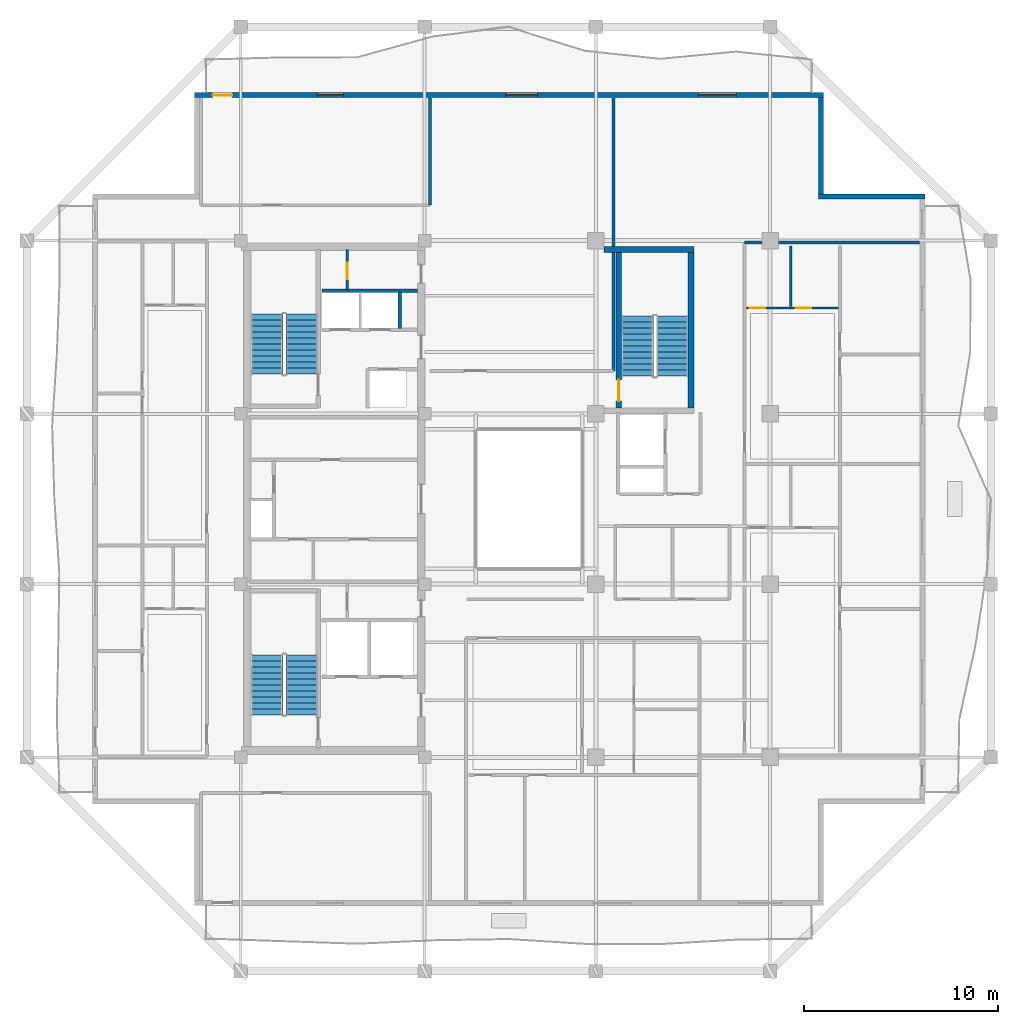
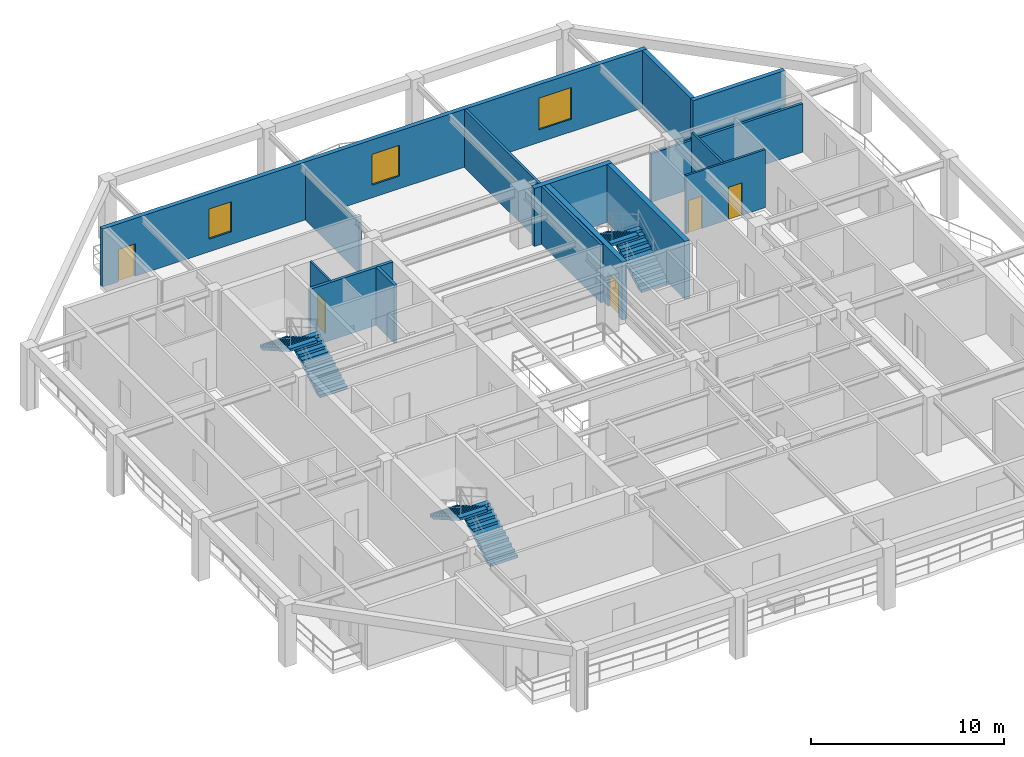
# One storey, part 6 of 12: 14 walls, 6 stair flights, 5 doors, 3 windows, 8 openings, 3 elements without a shape of their own.
"""IFC4 building model written with IfcOpenShell, lengths in metres."""

from ifc_helpers import new_model, si_unit, direction, frame, frame_2d, origin, place, context, subcontext, project, spatial, polyline, rectangle, outline, extrude, material, layer, layer_set, type_object, element, fill, aggregate, save


model = new_model("IFC4")

# Units and contexts
model_context = context("Model", 3, precision=1e-05, world=origin(), true_north=direction((0.0, 1.0)))
body_context = subcontext(model_context, "Body", "Model", "MODEL_VIEW")
ifc_project = project(units=[si_unit("LENGTHUNIT", "METRE"), si_unit("AREAUNIT", "SQUARE_METRE"), si_unit("VOLUMEUNIT", "CUBIC_METRE"), si_unit("PLANEANGLEUNIT", "RADIAN"), si_unit("MASSUNIT", "GRAM", prefix="KILO")], contexts=[model_context])

# Site, building, storey
site_placement = place(None, origin())
site = spatial("IfcSite", under=ifc_project, at=site_placement, CompositionType="ELEMENT")
building_placement = place(site_placement, origin())
building = spatial("IfcBuilding", under=site, at=building_placement, Name="Kundavana Baori Tower", CompositionType="ELEMENT")
storey_placement = place(building_placement, frame((0.0, 0.0, 241.39990234375)))
storey = spatial("IfcBuildingStorey", under=building, at=storey_placement, Name="L59", CompositionType="ELEMENT", Elevation=241.39990234375)

# Walls
ifc_material_1 = material(Name="Kiln-Fired Terracotta Brick-Slip Masonry on Concrete C40/50", Category="masonry")
ifc_layer_1 = layer(ifc_material_1, 0.260009765625, Name="WL-EXT-BRK-260")
ifc_layer_set_1 = layer_set([ifc_layer_1], Name="Kiln-Fired Terracotta Brick-Slip Masonry on Concrete C40/50")
wall_type_1 = type_object("IfcWallType", Name="WL-EXT-BRK-260", PredefinedType="SOLIDWALL", material=ifc_layer_set_1)
wall_1_placement = place(storey_placement, frame((50.800048828125, 44.219970703125, 0.0), z_axis=(0.0, 0.0, 1.0), x_axis=(-1.0, 0.0, 0.0)))
element("IfcWall", 1, at=wall_1_placement, inside=storey, type_object=wall_type_1, Name="L59 Exterior Insulated Facade Wall 05", PredefinedType="SOLIDWALL", context=body_context, shape_type="SweptSolid", body=[
    extrude(rectangle(XDim=5.510009765625, YDim=0.260009765625, at=frame_2d((2.7548828125, 0.0))), origin(), (0.0, 0.0, 1.0), 3.66015625),
])
wall_2_placement = place(storey_placement, frame((45.419921875, 44.35009765625, 0.0), z_axis=(0.0, 0.0, 1.0), x_axis=(0.0, 1.0, 0.0)))
element("IfcWall", 2, at=wall_2_placement, inside=storey, type_object=wall_type_1, Name="L59 Exterior Insulated Facade Wall 06", PredefinedType="SOLIDWALL", context=body_context, shape_type="SweptSolid", body=[
    extrude(rectangle(XDim=4.989990234375, YDim=0.260009765625, at=frame_2d((2.4951171875, 0.0))), origin(), (0.0, 0.0, 1.0), 3.66015625),
])

# Wall, openings, door, windows
wall_3_placement = place(storey_placement, frame((45.550048828125, 49.469970703125, 0.0), z_axis=(0.0, 0.0, 1.0), x_axis=(-1.0, 0.0, 0.0)))
wall_3 = element("IfcWall", 3, at=wall_3_placement, inside=storey, type_object=wall_type_1, Name="L59 Exterior Insulated Facade Wall 07", PredefinedType="SOLIDWALL", context=body_context, shape_type="SweptSolid", body=[
    extrude(rectangle(XDim=32.5, YDim=0.260009765625, at=frame_2d((16.25, 0.0))), origin(), (0.0, 0.0, 1.0), 3.66015625),
])
opening_1_placement = place(wall_3_placement, frame((30.550048828125, 0.0, 0.0)))
opening_1 = element("IfcOpeningElement", 4, at=opening_1_placement, cuts=wall_3, Name="Opening BD-1", PredefinedType="OPENING", context=body_context, shape_type="SweptSolid", body=[
    extrude(rectangle(XDim=1.0, YDim=2.050048828125, at=frame_2d((0.5, 1.02490234375))), frame((0.0, 0.14013671875, 0.0), z_axis=(0.0, -1.0, 0.0), x_axis=(1.0, 0.0, 0.0)), (0.0, 0.0, 1.0), 0.280029296875),
])
opening_2_placement = place(wall_3_placement, frame((24.7900390625, 0.0, 0.800048828125)))
opening_2 = element("IfcOpeningElement", 5, at=opening_2_placement, cuts=wall_3, Name="Opening W-07", PredefinedType="OPENING", context=body_context, shape_type="SweptSolid", body=[
    extrude(rectangle(XDim=1.35009765625, YDim=1.89990234375, at=frame_2d((0.675048828125, 0.949951171875))), frame((0.0, 0.14013671875, 0.0), z_axis=(0.0, -1.0, 0.0), x_axis=(1.0, 0.0, 0.0)), (0.0, 0.0, 1.0), 0.280029296875),
])
opening_3_placement = place(wall_3_placement, frame((14.7548828125, 0.0, 0.800048828125)))
opening_3 = element("IfcOpeningElement", 6, at=opening_3_placement, cuts=wall_3, Name="Opening W-08", PredefinedType="OPENING", context=body_context, shape_type="SweptSolid", body=[
    extrude(rectangle(XDim=1.64990234375, YDim=1.949951171875, at=frame_2d((0.824951171875, 0.97509765625))), frame((0.0, 0.14013671875, 0.0), z_axis=(0.0, -1.0, 0.0), x_axis=(1.0, 0.0, 0.0)), (0.0, 0.0, 1.0), 0.280029296875),
])
opening_4_placement = place(wall_3_placement, frame((4.4951171875, 0.0, 0.800048828125)))
opening_4 = element("IfcOpeningElement", 7, at=opening_4_placement, cuts=wall_3, Name="Opening W-09", PredefinedType="OPENING", context=body_context, shape_type="SweptSolid", body=[
    extrude(rectangle(XDim=1.949951171875, YDim=2.0, at=frame_2d((0.97509765625, 1.0))), frame((0.0, 0.14013671875, 0.0), z_axis=(0.0, -1.0, 0.0), x_axis=(1.0, 0.0, 0.0)), (0.0, 0.0, 1.0), 0.280029296875),
])
ifc_material_2 = material(Name="Architectural Patinated Bronze Metalwork")
door_type_1 = type_object("IfcDoorType", Name="DR-EXT-LOG-1000", OperationType="NOTDEFINED", PredefinedType="DOOR", material=ifc_material_2)
door_1_placement = place(opening_1_placement, frame((1.0, 0.0, 0.0), z_axis=(0.0, 0.0, 1.0), x_axis=(-1.0, 0.0, 0.0)))
door_1 = element("IfcDoor", 8, at=door_1_placement, inside=storey, type_object=door_type_1, Name="L59 Loggia Balcony Access Door N", OperationType="SINGLE_SWING_LEFT", OverallHeight=2.050048828125, OverallWidth=1.0, PredefinedType="DOOR", context=body_context, shape_type="SweptSolid", body=[
    extrude(rectangle(XDim=1.0, YDim=2.050048828125, at=frame_2d((0.5, 1.02490234375))), frame((0.0, 0.02490234375, 0.0), z_axis=(0.0, -1.0, 0.0), x_axis=(1.0, 0.0, 0.0)), (0.0, 0.0, 1.0), 0.050048828125),
])
fill(opening_1, door_1)
ifc_material_3 = material(Name="Double-Glazed Solar-Control Low-E Insulated Glass", Category="glass")
window_type_1 = type_object("IfcWindowType", Name="WIN-LOG-1350x1900", PartitioningType="SINGLE_PANEL", PredefinedType="WINDOW", material=ifc_material_3)
window_1_placement = place(opening_2_placement, origin())
window_1 = element("IfcWindow", 9, at=window_1_placement, inside=storey, type_object=window_type_1, Name="L59 Recessed Loggia Window N-1", OverallHeight=1.89990234375, OverallWidth=1.35009765625, PartitioningType="SINGLE_PANEL", PredefinedType="WINDOW", context=body_context, shape_type="SweptSolid", body=[
    extrude(rectangle(XDim=1.35009765625, YDim=1.89990234375, at=frame_2d((0.675048828125, 0.949951171875))), frame((0.0, 0.030029296875, 0.0), z_axis=(0.0, -1.0, 0.0), x_axis=(1.0, 0.0, 0.0)), (0.0, 0.0, 1.0), 0.06005859375),
])
fill(opening_2, window_1)
ifc_material_4 = material(Name="Double-Glazed Solar-Control Low-E Insulated Glass", Category="glass")
window_type_2 = type_object("IfcWindowType", Name="WIN-LOG-1650x1950", PartitioningType="SINGLE_PANEL", PredefinedType="WINDOW", material=ifc_material_4)
window_2_placement = place(opening_3_placement, origin())
window_2 = element("IfcWindow", 10, at=window_2_placement, inside=storey, type_object=window_type_2, Name="L59 Recessed Loggia Window N-2", OverallHeight=1.949951171875, OverallWidth=1.64990234375, PartitioningType="SINGLE_PANEL", PredefinedType="WINDOW", context=body_context, shape_type="SweptSolid", body=[
    extrude(rectangle(XDim=1.64990234375, YDim=1.949951171875, at=frame_2d((0.824951171875, 0.97509765625))), frame((0.0, 0.030029296875, 0.0), z_axis=(0.0, -1.0, 0.0), x_axis=(1.0, 0.0, 0.0)), (0.0, 0.0, 1.0), 0.06005859375),
])
fill(opening_3, window_2)
ifc_material_5 = material(Name="Double-Glazed Solar-Control Low-E Insulated Glass", Category="glass")
window_type_3 = type_object("IfcWindowType", Name="WIN-LOG-1950x2000", PartitioningType="SINGLE_PANEL", PredefinedType="WINDOW", material=ifc_material_5)
window_3_placement = place(opening_4_placement, origin())
window_3 = element("IfcWindow", 11, at=window_3_placement, inside=storey, type_object=window_type_3, Name="L59 Recessed Loggia Window N-3", OverallHeight=2.0, OverallWidth=1.949951171875, PartitioningType="SINGLE_PANEL", PredefinedType="WINDOW", context=body_context, shape_type="SweptSolid", body=[
    extrude(rectangle(XDim=1.949951171875, YDim=2.0, at=frame_2d((0.97509765625, 1.0))), frame((0.0, 0.030029296875, 0.0), z_axis=(0.0, -1.0, 0.0), x_axis=(1.0, 0.0, 0.0)), (0.0, 0.0, 1.0), 0.06005859375),
])
fill(opening_4, window_3)

# Wall, opening, door
ifc_material_6 = material(Name="Acoustic Gypsum Plasterboard on Galvanised Steel Studs", Category="steel")
ifc_layer_2 = layer(ifc_material_6, 0.1201171875, Name="WL-PART-120")
ifc_layer_set_2 = layer_set([ifc_layer_2], Name="Acoustic Gypsum Plasterboard on Galvanised Steel Studs")
wall_type_2 = type_object("IfcWallType", Name="WL-PART-120", PredefinedType="PARTITIONING", material=ifc_layer_set_2)
wall_4_placement = place(storey_placement, frame((20.949951171875, 39.39990234375, 0.0), z_axis=(0.0, 0.0, 1.0), x_axis=(0.0, 1.0, 0.0)))
wall_4 = element("IfcWall", 12, at=wall_4_placement, inside=storey, type_object=wall_type_2, Name="WL-L59-CSRV-D2", PredefinedType="PARTITIONING", context=body_context, shape_type="SweptSolid", body=[
    extrude(rectangle(XDim=2.080078125, YDim=0.1201171875, at=frame_2d((1.0400390625, 0.0))), origin(), (0.0, 0.0, 1.0), 3.66015625),
])
opening_5_placement = place(wall_4_placement, frame((0.550048828125, 0.0, 0.0)))
opening_5 = element("IfcOpeningElement", 13, at=opening_5_placement, cuts=wall_4, Name="Opening FD-085", PredefinedType="OPENING", context=body_context, shape_type="SweptSolid", body=[
    extrude(rectangle(XDim=0.85009765625, YDim=2.06005859375, at=frame_2d((0.425048828125, 1.030029296875))), frame((0.0, 0.070068359375, 0.0), z_axis=(0.0, -1.0, 0.0), x_axis=(1.0, 0.0, 0.0)), (0.0, 0.0, 1.0), 0.14013671875),
])
ifc_material_7 = material(Name="Galvanised Steel Fire-Rated Door Leaf", Category="steel")
door_type_2 = type_object("IfcDoorType", Name="DR-FD60-850", OperationType="NOTDEFINED", PredefinedType="DOOR", material=ifc_material_7)
door_2_placement = place(opening_5_placement, origin())
door_2 = element("IfcDoor", 14, at=door_2_placement, inside=storey, type_object=door_type_2, Name="DR-L59-CSRV1", OperationType="SINGLE_SWING_RIGHT", OverallHeight=2.06005859375, OverallWidth=0.85009765625, PredefinedType="DOOR", context=body_context, shape_type="SweptSolid", body=[
    extrude(rectangle(XDim=0.85009765625, YDim=2.06005859375, at=frame_2d((0.425048828125, 1.030029296875))), frame((0.0, 0.02490234375, 0.0), z_axis=(0.0, -1.0, 0.0), x_axis=(1.0, 0.0, 0.0)), (0.0, 0.0, 1.0), 0.050048828125),
])
fill(opening_5, door_2)

# Walls
ifc_material_8 = material(Name="Fire-Rated Gypsum Drywall on Galvanised Steel Studs", Category="steel")
ifc_layer_3 = layer(ifc_material_8, 0.14990234375, Name="WL-PART-150")
ifc_layer_set_3 = layer_set([ifc_layer_3], Name="Fire-Rated Gypsum Drywall on Galvanised Steel Studs")
wall_type_3 = type_object("IfcWallType", Name="WL-PART-150", PredefinedType="PARTITIONING", material=ifc_layer_set_3)
wall_5_placement = place(storey_placement, frame((25.219970703125, 43.780029296875, 0.0), z_axis=(0.0, 0.0, 1.0), x_axis=(0.0, 1.0, 0.0)))
element("IfcWall", 15, at=wall_5_placement, inside=storey, type_object=wall_type_3, Name="WL-L59-RNCE", PredefinedType="PARTITIONING", context=body_context, shape_type="SweptSolid", body=[
    extrude(rectangle(XDim=5.5400390625, YDim=0.14990234375, at=frame_2d((2.77001953125, 0.0))), origin(), (0.0, 0.0, 1.0), 3.210205078125),
])
wall_6_placement = place(storey_placement, frame((34.719970703125, 35.219970703125, 0.0), z_axis=(0.0, 0.0, 1.0), x_axis=(0.0, 1.0, 0.0)))
element("IfcWall", 16, at=wall_6_placement, inside=storey, type_object=wall_type_3, Name="WL-L59-RNEND", PredefinedType="PARTITIONING", context=body_context, shape_type="SweptSolid", body=[
    extrude(rectangle(XDim=14.10009765625, YDim=0.14990234375, at=frame_2d((7.050048828125, 0.0))), origin(), (0.0, 0.0, 1.0), 3.66015625),
])
wall_7_placement = place(storey_placement, frame((41.47998046875, 41.85009765625, 0.0), z_axis=(0.0, 0.0, 1.0), x_axis=(1.0, 0.0, 0.0)))
element("IfcWall", 17, at=wall_7_placement, inside=storey, type_object=wall_type_3, Name="WL-L59-REN", PredefinedType="PARTITIONING", context=body_context, shape_type="SweptSolid", body=[
    extrude(rectangle(XDim=9.0400390625, YDim=0.14990234375, at=frame_2d((4.52001953125, 0.0))), origin(), (0.0, 0.0, 1.0), 3.06005859375),
])
ifc_material_9 = material(Name="Autoclaved Aerated Concrete Blockwork Masonry", Category="masonry")
ifc_layer_4 = layer(ifc_material_9, 0.179931640625, Name="WL-SHAFT-180")
ifc_layer_set_4 = layer_set([ifc_layer_4], Name="Autoclaved Aerated Concrete Blockwork Masonry")
wall_type_4 = type_object("IfcWallType", Name="WL-SHAFT-180", PredefinedType="SOLIDWALL", material=ifc_layer_set_4)
wall_8_placement = place(storey_placement, frame((19.639892578125, 39.360107421875, 0.0), z_axis=(0.0, 0.0, 1.0), x_axis=(1.0, 0.0, 0.0)))
element("IfcWall", 18, at=wall_8_placement, inside=storey, type_object=wall_type_4, Name="WL-L59-HRLOB-TOP", PredefinedType="SOLIDWALL", context=body_context, shape_type="SweptSolid", body=[
    extrude(rectangle(XDim=4.940185546875, YDim=0.179931640625, at=frame_2d((2.47021484375, 0.0))), origin(), (0.0, 0.0, 1.0), 3.66015625),
])
wall_9_placement = place(storey_placement, frame((23.659912109375, 37.39990234375, 0.0), z_axis=(0.0, 0.0, 1.0), x_axis=(0.0, 1.0, 0.0)))
element("IfcWall", 19, at=wall_9_placement, inside=storey, type_object=wall_type_4, Name="WL-L59-HR-DIV2", PredefinedType="SOLIDWALL", context=body_context, shape_type="SweptSolid", body=[
    extrude(rectangle(XDim=1.900146484375, YDim=0.179931640625, at=frame_2d((0.9501953125, 0.0))), origin(), (0.0, 0.0, 1.0), 3.66015625),
])
ifc_material_10 = material(Name="Concrete C50/60", Category="concrete")
ifc_layer_5 = layer(ifc_material_10, 0.300048828125, Name="WL-ST3-300")
ifc_layer_set_5 = layer_set([ifc_layer_5], Name="Concrete C50/60")
wall_type_5 = type_object("IfcWallType", Name="WL-ST3-300", PredefinedType="SHEAR", material=ifc_layer_set_5)
wall_10_placement = place(storey_placement, frame((34.22509765625, 41.489990234375, 0.0), z_axis=(0.0, 0.0, 1.0), x_axis=(1.0, 0.0, 0.0)))
element("IfcWall", 20, at=wall_10_placement, inside=storey, type_object=wall_type_5, Name="L59 Stair ST3 North Shear Wall", PredefinedType="SHEAR", context=body_context, shape_type="SweptSolid", body=[
    extrude(rectangle(XDim=4.64501953125, YDim=0.300048828125, at=frame_2d((2.322509765625, 0.0))), origin(), (0.0, 0.0, 1.0), 3.66015625),
])

# Wall, opening, door
wall_11_placement = place(storey_placement, frame((34.97998046875, 33.31005859375, 0.0), z_axis=(0.0, 0.0, 1.0), x_axis=(0.0, 1.0, 0.0)))
wall_11 = element("IfcWall", 21, at=wall_11_placement, inside=storey, type_object=wall_type_5, Name="L59 Stair ST3 West Shear Wall", PredefinedType="SHEAR", context=body_context, shape_type="SweptSolid", body=[
    extrude(rectangle(XDim=8.030029296875, YDim=0.300048828125, at=frame_2d((4.01513671875, 0.0))), origin(), (0.0, 0.0, 1.0), 3.66015625),
])
opening_6_placement = place(wall_11_placement, frame((0.35009765625, 0.0, 0.0)))
opening_6 = element("IfcOpeningElement", 22, at=opening_6_placement, cuts=wall_11, Name="Opening FD-110", PredefinedType="OPENING", context=body_context, shape_type="SweptSolid", body=[
    extrude(rectangle(XDim=1.10009765625, YDim=2.10009765625, at=frame_2d((0.550048828125, 1.050048828125))), frame((0.0, 0.16015625, 0.0), z_axis=(0.0, -1.0, 0.0), x_axis=(1.0, 0.0, 0.0)), (0.0, 0.0, 1.0), 0.320068359375),
])
ifc_material_11 = material(Name="Galvanised Steel Fire-Rated Door Leaf", Category="steel")
door_type_3 = type_object("IfcDoorType", Name="DR-FD120-1100", OperationType="NOTDEFINED", PredefinedType="DOOR", material=ifc_material_11)
door_3_placement = place(opening_6_placement, origin())
door_3 = element("IfcDoor", 23, at=door_3_placement, inside=storey, type_object=door_type_3, Name="DR-L59-ST3-W", OperationType="SINGLE_SWING_LEFT", OverallHeight=2.10009765625, OverallWidth=1.10009765625, PredefinedType="DOOR", context=body_context, shape_type="SweptSolid", body=[
    extrude(rectangle(XDim=1.10009765625, YDim=2.10009765625, at=frame_2d((0.550048828125, 1.050048828125))), frame((0.0, 0.02490234375, 0.0), z_axis=(0.0, -1.0, 0.0), x_axis=(1.0, 0.0, 0.0)), (0.0, 0.0, 1.0), 0.050048828125),
])
fill(opening_6, door_3)

# Wall
wall_12_placement = place(storey_placement, frame((38.719970703125, 33.31005859375, 0.0), z_axis=(0.0, 0.0, 1.0), x_axis=(0.0, 1.0, 0.0)))
element("IfcWall", 24, at=wall_12_placement, inside=storey, type_object=wall_type_5, Name="L59 Stair ST3 East Shear Wall", PredefinedType="SHEAR", context=body_context, shape_type="SweptSolid", body=[
    extrude(rectangle(XDim=8.030029296875, YDim=0.300048828125, at=frame_2d((4.01513671875, 0.0))), origin(), (0.0, 0.0, 1.0), 3.66015625),
])

# Wall, openings, doors
ifc_material_12 = material(Name="Autoclaved Aerated Concrete Blockwork Masonry", Category="masonry")
ifc_layer_6 = layer(ifc_material_12, 0.125, Name="WL-WET-120")
ifc_layer_set_6 = layer_set([ifc_layer_6], Name="Autoclaved Aerated Concrete Blockwork Masonry")
wall_type_6 = type_object("IfcWallType", Name="WL-WET-120", PredefinedType="PLUMBINGWALL", material=ifc_layer_set_6)
wall_13_placement = place(storey_placement, frame((41.580078125, 38.469970703125, 0.0), z_axis=(0.0, 0.0, 1.0), x_axis=(1.0, 0.0, 0.0)))
wall_13 = element("IfcWall", 25, at=wall_13_placement, inside=storey, type_object=wall_type_6, Name="WL-L59-E2-KH", PredefinedType="PLUMBINGWALL", context=body_context, shape_type="SweptSolid", body=[
    extrude(rectangle(XDim=4.747802734375, YDim=0.125, at=frame_2d((2.3740234375, 0.0))), origin(), (0.0, 0.0, 1.0), 3.66015625),
])
opening_7_placement = place(wall_13_placement, frame((0.159912109375, 0.0, 0.0)))
opening_7 = element("IfcOpeningElement", 26, at=opening_7_placement, cuts=wall_13, Name="Opening WD-080", PredefinedType="OPENING", context=body_context, shape_type="SweptSolid", body=[
    extrude(rectangle(XDim=0.800048828125, YDim=2.050048828125, at=frame_2d((0.39990234375, 1.02490234375))), frame((0.0, 0.072509765625, 0.0), z_axis=(0.0, -1.0, 0.0), x_axis=(1.0, 0.0, 0.0)), (0.0, 0.0, 1.0), 0.14501953125),
])
opening_8_placement = place(wall_13_placement, frame((2.5390625, 0.0, 0.0)))
opening_8 = element("IfcOpeningElement", 27, at=opening_8_placement, cuts=wall_13, Name="Opening WD-080", PredefinedType="OPENING", context=body_context, shape_type="SweptSolid", body=[
    extrude(rectangle(XDim=0.800048828125, YDim=2.050048828125, at=frame_2d((0.39990234375, 1.02490234375))), frame((0.0, 0.072509765625, 0.0), z_axis=(0.0, -1.0, 0.0), x_axis=(1.0, 0.0, 0.0)), (0.0, 0.0, 1.0), 0.14501953125),
])
ifc_material_13 = material(Name="Engineered Teak Solid-Core Timber Veneer", Category="wood")
door_type_4 = type_object("IfcDoorType", Name="DR-WET-800", OperationType="NOTDEFINED", PredefinedType="DOOR", material=ifc_material_13)
door_4_placement = place(opening_7_placement, origin())
door_4 = element("IfcDoor", 28, at=door_4_placement, inside=storey, type_object=door_type_4, Name="DR-L59-E2-BT", OperationType="SINGLE_SWING_LEFT", OverallHeight=2.050048828125, OverallWidth=0.800048828125, PredefinedType="DOOR", context=body_context, shape_type="SweptSolid", body=[
    extrude(rectangle(XDim=0.800048828125, YDim=2.050048828125, at=frame_2d((0.39990234375, 1.02490234375))), frame((0.0, 0.02490234375, 0.0), z_axis=(0.0, -1.0, 0.0), x_axis=(1.0, 0.0, 0.0)), (0.0, 0.0, 1.0), 0.050048828125),
])
fill(opening_7, door_4)
door_5_placement = place(opening_8_placement, origin())
door_5 = element("IfcDoor", 29, at=door_5_placement, inside=storey, type_object=door_type_4, Name="DR-L59-E2-KT", OperationType="SINGLE_SWING_RIGHT", OverallHeight=2.050048828125, OverallWidth=0.800048828125, PredefinedType="DOOR", context=body_context, shape_type="SweptSolid", body=[
    extrude(rectangle(XDim=0.800048828125, YDim=2.050048828125, at=frame_2d((0.39990234375, 1.02490234375))), frame((0.0, 0.02490234375, 0.0), z_axis=(0.0, -1.0, 0.0), x_axis=(1.0, 0.0, 0.0)), (0.0, 0.0, 1.0), 0.050048828125),
])
fill(opening_8, door_5)

# Wall
wall_14_placement = place(storey_placement, frame((43.85888671875, 38.550048828125, 0.0), z_axis=(0.0, 0.0, 1.0), x_axis=(0.0, 1.0, 0.0)))
element("IfcWall", 30, at=wall_14_placement, inside=storey, type_object=wall_type_6, Name="WL-L59-E2-BV", PredefinedType="PLUMBINGWALL", context=body_context, shape_type="SweptSolid", body=[
    extrude(rectangle(XDim=3.119873046875, YDim=0.125, at=frame_2d((1.56005859375, 0.0))), origin(), (0.0, 0.0, 1.0), 3.66015625),
])

# Stair, stair flights
ifc_material_14 = material(Name="Concrete C40/50", Category="concrete")
stair_type = type_object("IfcStairType", Name="STR-DOG-1650", PredefinedType="HALF_TURN_STAIR", material=ifc_material_14)
stair_1_placement = place(storey_placement, origin())
stair_1 = element("IfcStair", 31, at=stair_1_placement, inside=storey, type_object=stair_type, Name="L59 Protected Exit Stair ST1", PredefinedType="HALF_TURN_STAIR")
ifc_material_15 = material(Name="Concrete C40/50", Category="concrete")
stair_flight_type = type_object("IfcStairFlightType", Name="SFL-RC-1650", PredefinedType="STRAIGHT", material=ifc_material_15)
stair_flight_1_placement = place(storey_placement, frame((18.614990234375, 17.449951171875, 0.0), z_axis=(0.0, 0.0, 1.0), x_axis=(0.0, 1.0, 0.0)))
stair_flight_1 = element("IfcStairFlight", 32, at=stair_flight_1_placement, type_object=stair_flight_type, Name="ST1 flight 1", NumberOfRisers=11, NumberOfTreads=10, PredefinedType="STRAIGHT", RiserHeight=0.177272727, TreadLength=0.31, context=body_context, shape_type="SweptSolid", body=[
    extrude(outline(polyline([(0.0, 0.0), (0.0, 0.17724609375), (0.31005859375, 0.17724609375), (0.31005859375, 0.3544921875), (0.6201171875, 0.3544921875), (0.6201171875, 0.53173828125), (0.929931640625, 0.53173828125), (0.929931640625, 0.708984375), (1.239990234375, 0.708984375), (1.239990234375, 0.886474609375), (1.550048828125, 0.886474609375), (1.550048828125, 1.063720703125), (1.860107421875, 1.063720703125), (1.860107421875, 1.240966796875), (2.169921875, 1.240966796875), (2.169921875, 1.418212890625), (2.47998046875, 1.418212890625), (2.47998046875, 1.595458984375), (2.7900390625, 1.595458984375), (2.7900390625, 1.772705078125), (3.10009765625, 1.772705078125), (3.10009765625, 1.949951171875), (3.10009765625, 1.60009765625), (0.302001953125, 0.0), (0.0, 0.0)])), frame((0.0, 0.824951171875, 0.0), z_axis=(0.0, -1.0, 0.0), x_axis=(1.0, 0.0, 0.0)), (0.0, 0.0, 1.0), 1.64990234375),
])
stair_flight_2_placement = place(storey_placement, frame((16.804931640625, 20.550048828125, 1.9501953125), z_axis=(0.0, 0.0, 1.0), x_axis=(0.0, -1.0, 0.0)))
stair_flight_2 = element("IfcStairFlight", 33, at=stair_flight_2_placement, type_object=stair_flight_type, Name="ST1 flight 2", NumberOfRisers=11, NumberOfTreads=10, PredefinedType="STRAIGHT", RiserHeight=0.177272727, TreadLength=0.31, context=body_context, shape_type="SweptSolid", body=[
    extrude(outline(polyline([(0.0, 0.0), (0.0, 0.17724609375), (0.31005859375, 0.17724609375), (0.31005859375, 0.3544921875), (0.6201171875, 0.3544921875), (0.6201171875, 0.53173828125), (0.929931640625, 0.53173828125), (0.929931640625, 0.708984375), (1.239990234375, 0.708984375), (1.239990234375, 0.886474609375), (1.550048828125, 0.886474609375), (1.550048828125, 1.063720703125), (1.860107421875, 1.063720703125), (1.860107421875, 1.240966796875), (2.169921875, 1.240966796875), (2.169921875, 1.418212890625), (2.47998046875, 1.418212890625), (2.47998046875, 1.595458984375), (2.7900390625, 1.595458984375), (2.7900390625, 1.772705078125), (3.10009765625, 1.772705078125), (3.10009765625, 1.949951171875), (3.10009765625, 1.60009765625), (0.302001953125, 0.0), (0.0, 0.0)])), frame((0.0, 0.824951171875, 0.0), z_axis=(0.0, -1.0, 0.0), x_axis=(1.0, 0.0, 0.0)), (0.0, 0.0, 1.0), 1.64990234375),
])
aggregate(stair_1, [stair_flight_1, stair_flight_2])

stair_2_placement = place(storey_placement, origin())
stair_2 = element("IfcStair", 34, at=stair_2_placement, inside=storey, type_object=stair_type, Name="L59 Protected Exit Stair ST2", PredefinedType="HALF_TURN_STAIR")
stair_flight_3_placement = place(storey_placement, frame((18.614990234375, 35.050048828125, 0.0), z_axis=(0.0, 0.0, 1.0), x_axis=(0.0, 1.0, 0.0)))
stair_flight_3 = element("IfcStairFlight", 35, at=stair_flight_3_placement, type_object=stair_flight_type, Name="ST2 flight 1", NumberOfRisers=11, NumberOfTreads=10, PredefinedType="STRAIGHT", RiserHeight=0.177272727, TreadLength=0.31, context=body_context, shape_type="SweptSolid", body=[
    extrude(outline(polyline([(0.0, 0.0), (0.0, 0.17724609375), (0.31005859375, 0.17724609375), (0.31005859375, 0.3544921875), (0.6201171875, 0.3544921875), (0.6201171875, 0.53173828125), (0.929931640625, 0.53173828125), (0.929931640625, 0.708984375), (1.239990234375, 0.708984375), (1.239990234375, 0.886474609375), (1.550048828125, 0.886474609375), (1.550048828125, 1.063720703125), (1.860107421875, 1.063720703125), (1.860107421875, 1.240966796875), (2.169921875, 1.240966796875), (2.169921875, 1.418212890625), (2.47998046875, 1.418212890625), (2.47998046875, 1.595458984375), (2.7900390625, 1.595458984375), (2.7900390625, 1.772705078125), (3.10009765625, 1.772705078125), (3.10009765625, 1.949951171875), (3.10009765625, 1.60009765625), (0.302001953125, 0.0), (0.0, 0.0)])), frame((0.0, 0.824951171875, 0.0), z_axis=(0.0, -1.0, 0.0), x_axis=(1.0, 0.0, 0.0)), (0.0, 0.0, 1.0), 1.64990234375),
])
stair_flight_4_placement = place(storey_placement, frame((16.804931640625, 38.14990234375, 1.9501953125), z_axis=(0.0, 0.0, 1.0), x_axis=(0.0, -1.0, 0.0)))
stair_flight_4 = element("IfcStairFlight", 36, at=stair_flight_4_placement, type_object=stair_flight_type, Name="ST2 flight 2", NumberOfRisers=11, NumberOfTreads=10, PredefinedType="STRAIGHT", RiserHeight=0.177272727, TreadLength=0.31, context=body_context, shape_type="SweptSolid", body=[
    extrude(outline(polyline([(0.0, 0.0), (0.0, 0.17724609375), (0.31005859375, 0.17724609375), (0.31005859375, 0.3544921875), (0.6201171875, 0.3544921875), (0.6201171875, 0.53173828125), (0.929931640625, 0.53173828125), (0.929931640625, 0.708984375), (1.239990234375, 0.708984375), (1.239990234375, 0.886474609375), (1.550048828125, 0.886474609375), (1.550048828125, 1.063720703125), (1.860107421875, 1.063720703125), (1.860107421875, 1.240966796875), (2.169921875, 1.240966796875), (2.169921875, 1.418212890625), (2.47998046875, 1.418212890625), (2.47998046875, 1.595458984375), (2.7900390625, 1.595458984375), (2.7900390625, 1.772705078125), (3.10009765625, 1.772705078125), (3.10009765625, 1.949951171875), (3.10009765625, 1.60009765625), (0.302001953125, 0.0), (0.0, 0.0)])), frame((0.0, 0.824951171875, 0.0), z_axis=(0.0, -1.0, 0.0), x_axis=(1.0, 0.0, 0.0)), (0.0, 0.0, 1.0), 1.64990234375),
])
aggregate(stair_2, [stair_flight_3, stair_flight_4])

stair_3_placement = place(storey_placement, origin())
stair_3 = element("IfcStair", 37, at=stair_3_placement, inside=storey, type_object=stair_type, Name="L59 Protected Exit Stair ST3", PredefinedType="HALF_TURN_STAIR")
stair_flight_5_placement = place(storey_placement, frame((37.7548828125, 34.949951171875, 0.0), z_axis=(0.0, 0.0, 1.0), x_axis=(0.0, 1.0, 0.0)))
stair_flight_5 = element("IfcStairFlight", 38, at=stair_flight_5_placement, type_object=stair_flight_type, Name="ST3 flight 1", NumberOfRisers=11, NumberOfTreads=10, PredefinedType="STRAIGHT", RiserHeight=0.177272727, TreadLength=0.31, context=body_context, shape_type="SweptSolid", body=[
    extrude(outline(polyline([(0.0, 0.0), (0.0, 0.17724609375), (0.31005859375, 0.17724609375), (0.31005859375, 0.3544921875), (0.6201171875, 0.3544921875), (0.6201171875, 0.53173828125), (0.929931640625, 0.53173828125), (0.929931640625, 0.708984375), (1.239990234375, 0.708984375), (1.239990234375, 0.886474609375), (1.550048828125, 0.886474609375), (1.550048828125, 1.063720703125), (1.860107421875, 1.063720703125), (1.860107421875, 1.240966796875), (2.169921875, 1.240966796875), (2.169921875, 1.418212890625), (2.47998046875, 1.418212890625), (2.47998046875, 1.595458984375), (2.7900390625, 1.595458984375), (2.7900390625, 1.772705078125), (3.10009765625, 1.772705078125), (3.10009765625, 1.949951171875), (3.10009765625, 1.60009765625), (0.302001953125, 0.0), (0.0, 0.0)])), frame((0.0, 0.824951171875, 0.0), z_axis=(0.0, -1.0, 0.0), x_axis=(1.0, 0.0, 0.0)), (0.0, 0.0, 1.0), 1.64990234375),
])
stair_flight_6_placement = place(storey_placement, frame((35.945068359375, 38.050048828125, 1.9501953125), z_axis=(0.0, 0.0, 1.0), x_axis=(0.0, -1.0, 0.0)))
stair_flight_6 = element("IfcStairFlight", 39, at=stair_flight_6_placement, type_object=stair_flight_type, Name="ST3 flight 2", NumberOfRisers=11, NumberOfTreads=10, PredefinedType="STRAIGHT", RiserHeight=0.177272727, TreadLength=0.31, context=body_context, shape_type="SweptSolid", body=[
    extrude(outline(polyline([(0.0, 0.0), (0.0, 0.17724609375), (0.31005859375, 0.17724609375), (0.31005859375, 0.3544921875), (0.6201171875, 0.3544921875), (0.6201171875, 0.53173828125), (0.929931640625, 0.53173828125), (0.929931640625, 0.708984375), (1.239990234375, 0.708984375), (1.239990234375, 0.886474609375), (1.550048828125, 0.886474609375), (1.550048828125, 1.063720703125), (1.860107421875, 1.063720703125), (1.860107421875, 1.240966796875), (2.169921875, 1.240966796875), (2.169921875, 1.418212890625), (2.47998046875, 1.418212890625), (2.47998046875, 1.595458984375), (2.7900390625, 1.595458984375), (2.7900390625, 1.772705078125), (3.10009765625, 1.772705078125), (3.10009765625, 1.949951171875), (3.10009765625, 1.60009765625), (0.302001953125, 0.0), (0.0, 0.0)])), frame((0.0, 0.824951171875, 0.0), z_axis=(0.0, -1.0, 0.0), x_axis=(1.0, 0.0, 0.0)), (0.0, 0.0, 1.0), 1.64990234375),
])
aggregate(stair_3, [stair_flight_5, stair_flight_6])

save(model, "model.ifc")
